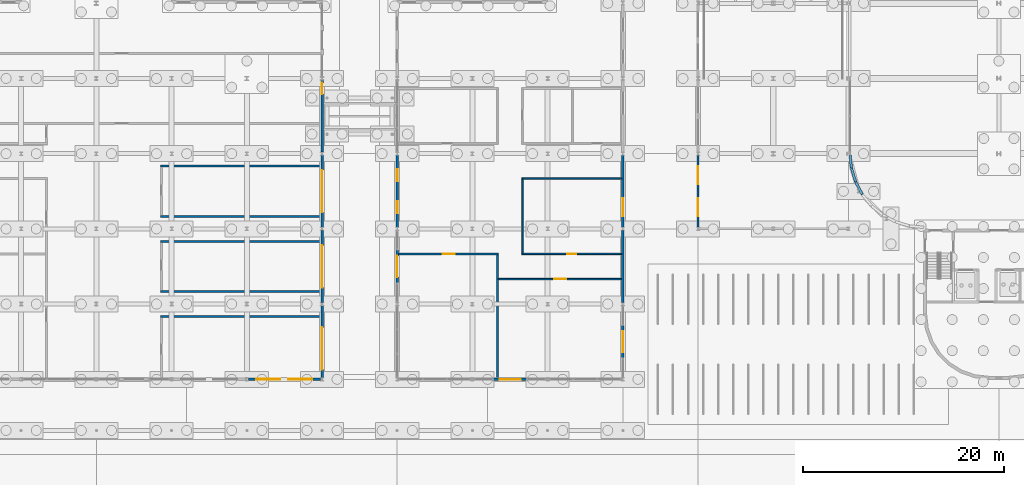
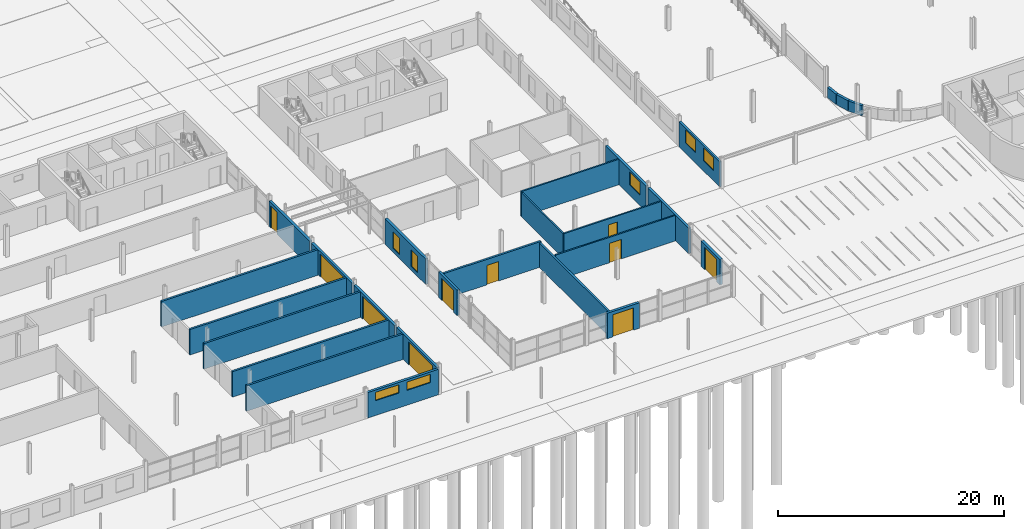
# One storey, part 86 of 130: 26 walls, 10 doors, 7 windows, 17 openings.
"""IFC4 building model written with IfcOpenShell, lengths in metres."""

from ifc_helpers import new_model, si_unit, direction, frame, frame_2d, origin, place, context, subcontext, project, spatial, rectangle, extrude, material, layer, layer_set, type_object, element, fill, save


model = new_model("IFC4")

# Units and contexts
model_context = context("Model", 3, precision=1e-05, world=origin(), true_north=direction((0.0, 1.0)))
body_context = subcontext(model_context, "Body", "Model", "MODEL_VIEW")
ifc_project = project(units=[si_unit("LENGTHUNIT", "METRE"), si_unit("AREAUNIT", "SQUARE_METRE"), si_unit("VOLUMEUNIT", "CUBIC_METRE"), si_unit("PLANEANGLEUNIT", "RADIAN"), si_unit("MASSUNIT", "GRAM", prefix="KILO")], contexts=[model_context])

# Site, building, storey
site_placement = place(None, origin())
site = spatial("IfcSite", under=ifc_project, at=site_placement, CompositionType="ELEMENT")
building_placement = place(site_placement, origin())
building = spatial("IfcBuilding", under=site, at=building_placement, Name="Parallax Yard Mobility Hub", CompositionType="ELEMENT")
storey_placement = place(building_placement, origin())
storey = spatial("IfcBuildingStorey", under=building, at=storey_placement, Name="L00", CompositionType="ELEMENT", Elevation=0.0)

# Walls
ifc_material_1 = material(Name="Concrete fc' 35 MPa", Category="concrete")
ifc_layer_1 = layer(ifc_material_1, 0.25)
ifc_layer_set_1 = layer_set([ifc_layer_1], Name="Deck-edge barrier wall, Concrete fc' 35 MPa precast, 250")
wall_type_1 = type_object("IfcWallType", Name="Deck-edge barrier wall, Concrete fc' 35 MPa precast, 250", PredefinedType="SOLIDWALL", material=ifc_layer_set_1)
wall_1_placement = place(storey_placement, frame((195.163818359375, 29.881103515625, 0.0), z_axis=(0.0, 0.0, 1.0), x_axis=(0.098115845086, -0.99517500016, 0.0)))
element("IfcWall", 1, at=wall_1_placement, inside=storey, type_object=wall_type_1, Name="Deck-edge barrier wall bay 30-1 level L00", PredefinedType="SOLIDWALL", context=body_context, shape_type="SweptSolid", body=[
    extrude(rectangle(XDim=1.306396484375, YDim=0.25, at=frame_2d((0.6533203125, 0.0))), origin(), (0.0, 0.0, 1.0), 1.10009765625),
])
wall_2_placement = place(storey_placement, frame((195.297607421875, 28.552978515625, 0.0), z_axis=(0.0, 0.0, 1.0), x_axis=(0.290156256793, -0.956979282244, 0.0)))
element("IfcWall", 2, at=wall_2_placement, inside=storey, type_object=wall_type_1, Name="Deck-edge barrier wall bay 30-2 level L00", PredefinedType="SOLIDWALL", context=body_context, shape_type="SweptSolid", body=[
    extrude(rectangle(XDim=1.4111328125, YDim=0.25, at=frame_2d((0.70556640625, 0.0))), origin(), (0.0, 0.0, 1.0), 1.10009765625),
])
wall_3_placement = place(storey_placement, frame((195.718017578125, 27.17626953125, 0.0), z_axis=(0.0, 0.0, 1.0), x_axis=(0.47134246414, -0.881950271557, 0.0)))
element("IfcWall", 3, at=wall_3_placement, inside=storey, type_object=wall_type_1, Name="Deck-edge barrier wall bay 30-3 level L00", PredefinedType="SOLIDWALL", context=body_context, shape_type="SweptSolid", body=[
    extrude(rectangle(XDim=1.410888671875, YDim=0.25, at=frame_2d((0.70556640625, 0.0))), origin(), (0.0, 0.0, 1.0), 1.10009765625),
])

# Wall, opening, door
ifc_layer_2 = layer(ifc_material_1, 0.25)
ifc_layer_set_2 = layer_set([ifc_layer_2], Name="Exterior wall, Concrete fc' 35 MPa precast, 250 with insulation lining")
wall_type_2 = type_object("IfcWallType", Name="Exterior wall, Concrete fc' 35 MPa precast, 250 with insulation lining", PredefinedType="SOLIDWALL", material=ifc_layer_set_2)
wall_4_placement = place(storey_placement, frame((159.60009765625, 7.5, 0.0), z_axis=(0.0, 0.0, 1.0), x_axis=(1.0, 0.0, 0.0)))
wall_4 = element("IfcWall", 4, at=wall_4_placement, inside=storey, type_object=wall_type_2, Name="Bicycle and shared-mobility hall south door pier bay 2 level L00", PredefinedType="SOLIDWALL", context=body_context, shape_type="SweptSolid", body=[
    extrude(rectangle(XDim=3.2998046875, YDim=0.25, at=frame_2d((1.64990234375, 0.0))), origin(), (0.0, 0.0, 1.0), 2.7509765625),
])
opening_1_placement = place(wall_4_placement, frame((0.60009765625, 0.0, 0.0)))
opening_1 = element("IfcOpeningElement", 5, at=opening_1_placement, cuts=wall_4, Name="Opening L00-D115", PredefinedType="OPENING", context=body_context, shape_type="SweptSolid", body=[
    extrude(rectangle(XDim=2.10009765625, YDim=2.39990234375, at=frame_2d((1.050048828125, 1.199951171875))), frame((0.0, 0.135009765625, 0.0), z_axis=(0.0, -1.0, 0.0), x_axis=(1.0, 0.0, 0.0)), (0.0, 0.0, 1.0), 0.27001953125),
])
ifc_material_2 = material(Name="Aluminium frame with laminated glass leaves", Category="aluminium")
door_type_1 = type_object("IfcDoorType", Name="Cycle hall door double 2100 x 2400", OperationType="DOUBLE_DOOR_SINGLE_SWING", PredefinedType="DOOR", material=ifc_material_2)
door_1_placement = place(opening_1_placement, origin())
door_1 = element("IfcDoor", 6, at=door_1_placement, inside=storey, type_object=door_type_1, Name="Entrance door L00-D115", OperationType="DOUBLE_DOOR_SINGLE_SWING", OverallHeight=2.39990234375, OverallWidth=2.10009765625, PredefinedType="DOOR", context=body_context, shape_type="SweptSolid", body=[
    extrude(rectangle(XDim=2.10009765625, YDim=2.39990234375, at=frame_2d((1.050048828125, 1.199951171875))), frame((0.0, 0.02490234375, 0.0), z_axis=(0.0, -1.0, 0.0), x_axis=(1.0, 0.0, 0.0)), (0.0, 0.0, 1.0), 0.050048828125),
])
fill(opening_1, door_1)

wall_5_placement = place(storey_placement, frame((172.5, 9.60009765625, 0.0), z_axis=(0.0, 0.0, 1.0), x_axis=(0.0, 1.0, 0.0)))
wall_5 = element("IfcWall", 7, at=wall_5_placement, inside=storey, type_object=wall_type_2, Name="Bicycle and shared-mobility hall east door pier bay 1 level L00", PredefinedType="SOLIDWALL", context=body_context, shape_type="SweptSolid", body=[
    extrude(rectangle(XDim=3.2998046875, YDim=0.25, at=frame_2d((1.64990234375, 0.0))), origin(), (0.0, 0.0, 1.0), 2.7509765625),
])
opening_2_placement = place(wall_5_placement, frame((0.60009765625, 0.0, 0.0)))
opening_2 = element("IfcOpeningElement", 8, at=opening_2_placement, cuts=wall_5, Name="Opening L00-D116", PredefinedType="OPENING", context=body_context, shape_type="SweptSolid", body=[
    extrude(rectangle(XDim=2.10009765625, YDim=2.39990234375, at=frame_2d((1.050048828125, 1.199951171875))), frame((0.0, 0.135009765625, 0.0), z_axis=(0.0, -1.0, 0.0), x_axis=(1.0, 0.0, 0.0)), (0.0, 0.0, 1.0), 0.27001953125),
])
door_2_placement = place(opening_2_placement, origin())
door_2 = element("IfcDoor", 9, at=door_2_placement, inside=storey, type_object=door_type_1, Name="Entrance door L00-D116", OperationType="DOUBLE_DOOR_SINGLE_SWING", OverallHeight=2.39990234375, OverallWidth=2.10009765625, PredefinedType="DOOR", context=body_context, shape_type="SweptSolid", body=[
    extrude(rectangle(XDim=2.10009765625, YDim=2.39990234375, at=frame_2d((1.050048828125, 1.199951171875))), frame((0.0, 0.02490234375, 0.0), z_axis=(0.0, -1.0, 0.0), x_axis=(1.0, 0.0, 0.0)), (0.0, 0.0, 1.0), 0.050048828125),
])
fill(opening_2, door_2)

# Wall
wall_6_placement = place(storey_placement, frame((172.5, 15.153564453125, 0.0), z_axis=(0.0, 0.0, 1.0), x_axis=(0.0, 1.0, 0.0)))
element("IfcWall", 10, at=wall_6_placement, inside=storey, type_object=wall_type_2, Name="Bicycle and shared-mobility hall east wall bay 2 level L00", PredefinedType="SOLIDWALL", context=body_context, shape_type="SweptSolid", body=[
    extrude(rectangle(XDim=7.19287109375, YDim=0.25, at=frame_2d((3.596435546875, 0.0))), origin(), (0.0, 0.0, 1.0), 2.7509765625),
])

# Wall, opening, window
wall_7_placement = place(storey_placement, frame((172.5, 22.653564453125, 0.0), z_axis=(0.0, 0.0, 1.0), x_axis=(0.0, 1.0, 0.0)))
wall_7 = element("IfcWall", 11, at=wall_7_placement, inside=storey, type_object=wall_type_2, Name="Bicycle and shared-mobility hall east wall bay 3 level L00", PredefinedType="SOLIDWALL", context=body_context, shape_type="SweptSolid", body=[
    extrude(rectangle(XDim=7.19287109375, YDim=0.25, at=frame_2d((3.596435546875, 0.0))), origin(), (0.0, 0.0, 1.0), 2.7509765625),
])
opening_3_placement = place(wall_7_placement, frame((1.09765625, 0.0, 1.10009765625)))
opening_3 = element("IfcOpeningElement", 12, at=opening_3_placement, cuts=wall_7, Name="Opening LV2", PredefinedType="OPENING", context=body_context, shape_type="SweptSolid", body=[
    extrude(rectangle(XDim=1.800048828125, YDim=1.39990234375, at=frame_2d((0.89990234375, 0.699951171875))), frame((0.0, 0.135009765625, 0.0), z_axis=(0.0, -1.0, 0.0), x_axis=(1.0, 0.0, 0.0)), (0.0, 0.0, 1.0), 0.27001953125),
])
ifc_material_3 = material(Name="Extruded aluminium storm louvre blades in a powder-coated frame", Category="aluminium")
window_type_1 = type_object("IfcWindowType", Name="Screen louvre 1800 x 1400", PartitioningType="SINGLE_PANEL", PredefinedType="WINDOW", material=ifc_material_3)
window_1_placement = place(opening_3_placement, origin())
window_1 = element("IfcWindow", 13, at=window_1_placement, inside=storey, type_object=window_type_1, Name="LV2 louvre level L00", OverallHeight=1.39990234375, OverallWidth=1.800048828125, PartitioningType="SINGLE_PANEL", PredefinedType="WINDOW", context=body_context, shape_type="SweptSolid", body=[
    extrude(rectangle(XDim=1.800048828125, YDim=1.39990234375, at=frame_2d((0.89990234375, 0.699951171875))), frame((0.0, 0.030029296875, 0.0), z_axis=(0.0, -1.0, 0.0), x_axis=(1.0, 0.0, 0.0)), (0.0, 0.0, 1.0), 0.06005859375),
])
fill(opening_3, window_1)

# Wall, opening, door
wall_8_placement = place(storey_placement, frame((150.0, 17.10009765625, 0.0), z_axis=(0.0, 0.0, 1.0), x_axis=(0.0, 1.0, 0.0)))
wall_8 = element("IfcWall", 14, at=wall_8_placement, inside=storey, type_object=wall_type_2, Name="Bicycle and shared-mobility hall west door pier bay 2 level L00", PredefinedType="SOLIDWALL", context=body_context, shape_type="SweptSolid", body=[
    extrude(rectangle(XDim=3.2998046875, YDim=0.25, at=frame_2d((1.64990234375, 0.0))), origin(), (0.0, 0.0, 1.0), 2.7509765625),
])
opening_4_placement = place(wall_8_placement, frame((0.60009765625, 0.0, 0.0)))
opening_4 = element("IfcOpeningElement", 15, at=opening_4_placement, cuts=wall_8, Name="Opening L00-D118", PredefinedType="OPENING", context=body_context, shape_type="SweptSolid", body=[
    extrude(rectangle(XDim=2.10009765625, YDim=2.39990234375, at=frame_2d((1.050048828125, 1.199951171875))), frame((0.0, 0.135009765625, 0.0), z_axis=(0.0, -1.0, 0.0), x_axis=(1.0, 0.0, 0.0)), (0.0, 0.0, 1.0), 0.27001953125),
])
door_3_placement = place(opening_4_placement, origin())
door_3 = element("IfcDoor", 16, at=door_3_placement, inside=storey, type_object=door_type_1, Name="Entrance door L00-D118", OperationType="DOUBLE_DOOR_SINGLE_SWING", OverallHeight=2.39990234375, OverallWidth=2.10009765625, PredefinedType="DOOR", context=body_context, shape_type="SweptSolid", body=[
    extrude(rectangle(XDim=2.10009765625, YDim=2.39990234375, at=frame_2d((1.050048828125, 1.199951171875))), frame((0.0, 0.02490234375, 0.0), z_axis=(0.0, -1.0, 0.0), x_axis=(1.0, 0.0, 0.0)), (0.0, 0.0, 1.0), 0.050048828125),
])
fill(opening_4, door_3)

# Wall, openings, windows
wall_9_placement = place(storey_placement, frame((150.0, 22.653564453125, 0.0), z_axis=(0.0, 0.0, 1.0), x_axis=(0.0, 1.0, 0.0)))
wall_9 = element("IfcWall", 17, at=wall_9_placement, inside=storey, type_object=wall_type_2, Name="Bicycle and shared-mobility hall west wall bay 3 level L00", PredefinedType="SOLIDWALL", context=body_context, shape_type="SweptSolid", body=[
    extrude(rectangle(XDim=7.19287109375, YDim=0.25, at=frame_2d((3.596435546875, 0.0))), origin(), (0.0, 0.0, 1.0), 2.7509765625),
])
opening_5_placement = place(wall_9_placement, frame((1.397705078125, 0.0, 0.39990234375)))
opening_5 = element("IfcOpeningElement", 18, at=opening_5_placement, cuts=wall_9, Name="Opening LV7", PredefinedType="OPENING", context=body_context, shape_type="SweptSolid", body=[
    extrude(rectangle(XDim=1.199951171875, YDim=1.800048828125, at=frame_2d((0.60009765625, 0.89990234375))), frame((0.0, 0.135009765625, 0.0), z_axis=(0.0, -1.0, 0.0), x_axis=(1.0, 0.0, 0.0)), (0.0, 0.0, 1.0), 0.27001953125),
])
opening_6_placement = place(wall_9_placement, frame((4.59521484375, 0.0, 0.39990234375)))
opening_6 = element("IfcOpeningElement", 19, at=opening_6_placement, cuts=wall_9, Name="Opening LV7", PredefinedType="OPENING", context=body_context, shape_type="SweptSolid", body=[
    extrude(rectangle(XDim=1.199951171875, YDim=1.800048828125, at=frame_2d((0.60009765625, 0.89990234375))), frame((0.0, 0.135009765625, 0.0), z_axis=(0.0, -1.0, 0.0), x_axis=(1.0, 0.0, 0.0)), (0.0, 0.0, 1.0), 0.27001953125),
])
window_type_2 = type_object("IfcWindowType", Name="Store louvre 1200 x 1800", PartitioningType="SINGLE_PANEL", PredefinedType="WINDOW", material=ifc_material_3)
window_2_placement = place(opening_5_placement, origin())
window_2 = element("IfcWindow", 20, at=window_2_placement, inside=storey, type_object=window_type_2, Name="LV7 louvre level L00", OverallHeight=1.800048828125, OverallWidth=1.199951171875, PartitioningType="SINGLE_PANEL", PredefinedType="WINDOW", context=body_context, shape_type="SweptSolid", body=[
    extrude(rectangle(XDim=1.199951171875, YDim=1.800048828125, at=frame_2d((0.60009765625, 0.89990234375))), frame((0.0, 0.030029296875, 0.0), z_axis=(0.0, -1.0, 0.0), x_axis=(1.0, 0.0, 0.0)), (0.0, 0.0, 1.0), 0.06005859375),
])
fill(opening_5, window_2)
window_3_placement = place(opening_6_placement, origin())
window_3 = element("IfcWindow", 21, at=window_3_placement, inside=storey, type_object=window_type_2, Name="LV7 louvre level L00", OverallHeight=1.800048828125, OverallWidth=1.199951171875, PartitioningType="SINGLE_PANEL", PredefinedType="WINDOW", context=body_context, shape_type="SweptSolid", body=[
    extrude(rectangle(XDim=1.199951171875, YDim=1.800048828125, at=frame_2d((0.60009765625, 0.89990234375))), frame((0.0, 0.030029296875, 0.0), z_axis=(0.0, -1.0, 0.0), x_axis=(1.0, 0.0, 0.0)), (0.0, 0.0, 1.0), 0.06005859375),
])
fill(opening_6, window_3)

wall_10_placement = place(storey_placement, frame((135.153564453125, 7.5, 0.0), z_axis=(0.0, 0.0, 1.0), x_axis=(1.0, 0.0, 0.0)))
wall_10 = element("IfcWall", 22, at=wall_10_placement, inside=storey, type_object=wall_type_2, Name="Mobility service centre and workshops south wall bay 6 level L00", PredefinedType="SOLIDWALL", context=body_context, shape_type="SweptSolid", body=[
    extrude(rectangle(XDim=7.19287109375, YDim=0.25, at=frame_2d((3.596435546875, 0.0))), origin(), (0.0, 0.0, 1.0), 2.7509765625),
])
opening_7_placement = place(wall_10_placement, frame((0.797607421875, 0.0, 1.60009765625)))
opening_7 = element("IfcOpeningElement", 23, at=opening_7_placement, cuts=wall_10, Name="Opening W4", PredefinedType="OPENING", context=body_context, shape_type="SweptSolid", body=[
    extrude(rectangle(XDim=2.39990234375, YDim=0.89990234375, at=frame_2d((1.199951171875, 0.449951171875))), frame((0.0, 0.135009765625, 0.0), z_axis=(0.0, -1.0, 0.0), x_axis=(1.0, 0.0, 0.0)), (0.0, 0.0, 1.0), 0.27001953125),
])
opening_8_placement = place(wall_10_placement, frame((3.995361328125, 0.0, 1.60009765625)))
opening_8 = element("IfcOpeningElement", 24, at=opening_8_placement, cuts=wall_10, Name="Opening W4", PredefinedType="OPENING", context=body_context, shape_type="SweptSolid", body=[
    extrude(rectangle(XDim=2.39990234375, YDim=0.89990234375, at=frame_2d((1.199951171875, 0.449951171875))), frame((0.0, 0.135009765625, 0.0), z_axis=(0.0, -1.0, 0.0), x_axis=(1.0, 0.0, 0.0)), (0.0, 0.0, 1.0), 0.27001953125),
])
ifc_material_4 = material(Name="Double glazed low-E unit in thermally broken aluminium frame", Category="aluminium")
window_type_3 = type_object("IfcWindowType", Name="Workshop high-level window 2400 x 900", PartitioningType="DOUBLE_PANEL_VERTICAL", PredefinedType="WINDOW", material=ifc_material_4)
window_4_placement = place(opening_7_placement, origin())
window_4 = element("IfcWindow", 25, at=window_4_placement, inside=storey, type_object=window_type_3, Name="Window W4 level L00", OverallHeight=0.89990234375, OverallWidth=2.39990234375, PartitioningType="DOUBLE_PANEL_VERTICAL", PredefinedType="WINDOW", context=body_context, shape_type="SweptSolid", body=[
    extrude(rectangle(XDim=2.39990234375, YDim=0.89990234375, at=frame_2d((1.199951171875, 0.449951171875))), frame((0.0, 0.030029296875, 0.0), z_axis=(0.0, -1.0, 0.0), x_axis=(1.0, 0.0, 0.0)), (0.0, 0.0, 1.0), 0.06005859375),
])
fill(opening_7, window_4)
window_5_placement = place(opening_8_placement, origin())
window_5 = element("IfcWindow", 26, at=window_5_placement, inside=storey, type_object=window_type_3, Name="Window W4 level L00", OverallHeight=0.89990234375, OverallWidth=2.39990234375, PartitioningType="DOUBLE_PANEL_VERTICAL", PredefinedType="WINDOW", context=body_context, shape_type="SweptSolid", body=[
    extrude(rectangle(XDim=2.39990234375, YDim=0.89990234375, at=frame_2d((1.199951171875, 0.449951171875))), frame((0.0, 0.030029296875, 0.0), z_axis=(0.0, -1.0, 0.0), x_axis=(1.0, 0.0, 0.0)), (0.0, 0.0, 1.0), 0.06005859375),
])
fill(opening_8, window_5)

# Wall, opening, door
wall_11_placement = place(storey_placement, frame((142.5, 7.653564453125, 0.0), z_axis=(0.0, 0.0, 1.0), x_axis=(0.0, 1.0, 0.0)))
wall_11 = element("IfcWall", 27, at=wall_11_placement, inside=storey, type_object=wall_type_2, Name="Mobility service centre and workshops east wall bay 1 level L00", PredefinedType="SOLIDWALL", context=body_context, shape_type="SweptSolid", body=[
    extrude(rectangle(XDim=7.19287109375, YDim=0.25, at=frame_2d((3.596435546875, 0.0))), origin(), (0.0, 0.0, 1.0), 2.7509765625),
])
opening_9_placement = place(wall_11_placement, frame((0.821533203125, 0.0, 0.0)))
opening_9 = element("IfcOpeningElement", 28, at=opening_9_placement, cuts=wall_11, Name="Opening L00-D123", PredefinedType="OPENING", context=body_context, shape_type="SweptSolid", body=[
    extrude(rectangle(XDim=4.199951171875, YDim=2.5, at=frame_2d((2.10009765625, 1.25))), frame((0.0, 0.135009765625, 0.0), z_axis=(0.0, -1.0, 0.0), x_axis=(1.0, 0.0, 0.0)), (0.0, 0.0, 1.0), 0.27001953125),
])
ifc_material_5 = material(Name="Insulated steel roller shutter", Category="steel")
door_type_2 = type_object("IfcDoorType", Name="Roller door 4200 x 2500", OperationType="ROLLINGUP", PredefinedType="DOOR", material=ifc_material_5)
door_4_placement = place(opening_9_placement, origin())
door_4 = element("IfcDoor", 29, at=door_4_placement, inside=storey, type_object=door_type_2, Name="Roller door L00-D123", OperationType="ROLLINGUP", OverallHeight=2.5, OverallWidth=4.199951171875, PredefinedType="DOOR", context=body_context, shape_type="SweptSolid", body=[
    extrude(rectangle(XDim=4.199951171875, YDim=2.5, at=frame_2d((2.10009765625, 1.25))), frame((0.0, 0.02490234375, 0.0), z_axis=(0.0, -1.0, 0.0), x_axis=(1.0, 0.0, 0.0)), (0.0, 0.0, 1.0), 0.050048828125),
])
fill(opening_9, door_4)

wall_12_placement = place(storey_placement, frame((142.5, 15.153564453125, 0.0), z_axis=(0.0, 0.0, 1.0), x_axis=(0.0, 1.0, 0.0)))
wall_12 = element("IfcWall", 30, at=wall_12_placement, inside=storey, type_object=wall_type_2, Name="Mobility service centre and workshops east wall bay 2 level L00", PredefinedType="SOLIDWALL", context=body_context, shape_type="SweptSolid", body=[
    extrude(rectangle(XDim=7.19287109375, YDim=0.25, at=frame_2d((3.596435546875, 0.0))), origin(), (0.0, 0.0, 1.0), 2.7509765625),
])
opening_10_placement = place(wall_12_placement, frame((1.49658203125, 0.0, 0.0)))
opening_10 = element("IfcOpeningElement", 31, at=opening_10_placement, cuts=wall_12, Name="Opening L00-D124", PredefinedType="OPENING", context=body_context, shape_type="SweptSolid", body=[
    extrude(rectangle(XDim=4.199951171875, YDim=2.5, at=frame_2d((2.10009765625, 1.25))), frame((0.0, 0.135009765625, 0.0), z_axis=(0.0, -1.0, 0.0), x_axis=(1.0, 0.0, 0.0)), (0.0, 0.0, 1.0), 0.27001953125),
])
door_5_placement = place(opening_10_placement, origin())
door_5 = element("IfcDoor", 32, at=door_5_placement, inside=storey, type_object=door_type_2, Name="Roller door L00-D124", OperationType="ROLLINGUP", OverallHeight=2.5, OverallWidth=4.199951171875, PredefinedType="DOOR", context=body_context, shape_type="SweptSolid", body=[
    extrude(rectangle(XDim=4.199951171875, YDim=2.5, at=frame_2d((2.10009765625, 1.25))), frame((0.0, 0.02490234375, 0.0), z_axis=(0.0, -1.0, 0.0), x_axis=(1.0, 0.0, 0.0)), (0.0, 0.0, 1.0), 0.050048828125),
])
fill(opening_10, door_5)

wall_13_placement = place(storey_placement, frame((142.5, 22.653564453125, 0.0), z_axis=(0.0, 0.0, 1.0), x_axis=(0.0, 1.0, 0.0)))
wall_13 = element("IfcWall", 33, at=wall_13_placement, inside=storey, type_object=wall_type_2, Name="Mobility service centre and workshops east wall bay 3 level L00", PredefinedType="SOLIDWALL", context=body_context, shape_type="SweptSolid", body=[
    extrude(rectangle(XDim=7.19287109375, YDim=0.25, at=frame_2d((3.596435546875, 0.0))), origin(), (0.0, 0.0, 1.0), 2.7509765625),
])
opening_11_placement = place(wall_13_placement, frame((1.49658203125, 0.0, 0.0)))
opening_11 = element("IfcOpeningElement", 34, at=opening_11_placement, cuts=wall_13, Name="Opening L00-D125", PredefinedType="OPENING", context=body_context, shape_type="SweptSolid", body=[
    extrude(rectangle(XDim=4.199951171875, YDim=2.5, at=frame_2d((2.10009765625, 1.25))), frame((0.0, 0.135009765625, 0.0), z_axis=(0.0, -1.0, 0.0), x_axis=(1.0, 0.0, 0.0)), (0.0, 0.0, 1.0), 0.27001953125),
])
door_6_placement = place(opening_11_placement, origin())
door_6 = element("IfcDoor", 35, at=door_6_placement, inside=storey, type_object=door_type_2, Name="Roller door L00-D125", OperationType="ROLLINGUP", OverallHeight=2.5, OverallWidth=4.199951171875, PredefinedType="DOOR", context=body_context, shape_type="SweptSolid", body=[
    extrude(rectangle(XDim=4.199951171875, YDim=2.5, at=frame_2d((2.10009765625, 1.25))), frame((0.0, 0.02490234375, 0.0), z_axis=(0.0, -1.0, 0.0), x_axis=(1.0, 0.0, 0.0)), (0.0, 0.0, 1.0), 0.050048828125),
])
fill(opening_11, door_6)

wall_14_placement = place(storey_placement, frame((142.5, 37.33837890625, 0.0), z_axis=(0.0, 0.0, 1.0), x_axis=(0.0, -1.0, 0.0)))
wall_14 = element("IfcWall", 36, at=wall_14_placement, inside=storey, type_object=wall_type_2, Name="Mobility service centre and workshops east wall bay 4 level L00", PredefinedType="SOLIDWALL", context=body_context, shape_type="SweptSolid", body=[
    extrude(rectangle(XDim=7.184814453125, YDim=0.25, at=frame_2d((3.59228515625, 0.0))), origin(), (0.0, 0.0, 1.0), 2.7509765625),
])
opening_12_placement = place(wall_14_placement, frame((0.28857421875, 0.0, 0.0)))
opening_12 = element("IfcOpeningElement", 37, at=opening_12_placement, cuts=wall_14, Name="Opening L00-D126", PredefinedType="OPENING", context=body_context, shape_type="SweptSolid", body=[
    extrude(rectangle(XDim=1.10009765625, YDim=2.39990234375, at=frame_2d((0.550048828125, 1.199951171875))), frame((0.0, 0.135009765625, 0.0), z_axis=(0.0, -1.0, 0.0), x_axis=(1.0, 0.0, 0.0)), (0.0, 0.0, 1.0), 0.27001953125),
])
ifc_material_6 = material(Name="Insulated steel door leaf in steel frame", Category="steel")
door_type_3 = type_object("IfcDoorType", Name="Staff escape door 1100 x 2400", OperationType="NOTDEFINED", PredefinedType="DOOR", material=ifc_material_6)
door_7_placement = place(opening_12_placement, origin())
door_7 = element("IfcDoor", 38, at=door_7_placement, inside=storey, type_object=door_type_3, Name="Staff escape door L00-D126", OperationType="SINGLE_SWING_RIGHT", OverallHeight=2.39990234375, OverallWidth=1.10009765625, PredefinedType="DOOR", context=body_context, shape_type="SweptSolid", body=[
    extrude(rectangle(XDim=1.10009765625, YDim=2.39990234375, at=frame_2d((0.550048828125, 1.199951171875))), frame((0.0, 0.02490234375, 0.0), z_axis=(0.0, -1.0, 0.0), x_axis=(1.0, 0.0, 0.0)), (0.0, 0.0, 1.0), 0.050048828125),
])
fill(opening_12, door_7)

# Walls
ifc_material_7 = material(Name="Fire-rated plasterboard partition, two layers each side")
ifc_layer_3 = layer(ifc_material_7, 0.199951171875)
ifc_layer_set_3 = layer_set([ifc_layer_3], Name="Fire-rated partition 200 mm")
wall_type_3 = type_object("IfcWallType", Name="Fire-rated partition 200 mm", PredefinedType="PARTITIONING", material=ifc_layer_set_3)
for number, where, z_axis, x_axis, name in (
    (39, (126.39990234375, 13.75, 0.0), (0.0, 0.0, 1.0), (1.0, 0.0, 0.0), "Partition 2 level L00"),
    (40, (126.39990234375, 16.25, 0.0), (0.0, 0.0, 1.0), (1.0, 0.0, 0.0), "Partition 3 level L00"),
):
    element("IfcWall", number, at=place(storey_placement, frame(where, z_axis=z_axis, x_axis=x_axis)), inside=storey, type_object=wall_type_3, Name=name, PredefinedType="PARTITIONING", context=body_context, shape_type="SweptSolid", body=[
        extrude(rectangle(XDim=15.97509765625, YDim=0.199951171875, at=frame_2d((7.987548828125, 0.0))), origin(), (0.0, 0.0, 1.0), 2.7509765625),
    ])

# Wall, opening, door
wall_15_placement = place(storey_placement, frame((150.125, 20.0, 0.0), z_axis=(0.0, 0.0, 1.0), x_axis=(1.0, 0.0, 0.0)))
wall_15 = element("IfcWall", 41, at=wall_15_placement, inside=storey, type_object=wall_type_3, Name="Partition 7 level L00", PredefinedType="PARTITIONING", context=body_context, shape_type="SweptSolid", body=[
    extrude(rectangle(XDim=9.97509765625, YDim=0.199951171875, at=frame_2d((4.987548828125, 0.0))), origin(), (0.0, 0.0, 1.0), 2.7509765625),
])
opening_13_placement = place(wall_15_placement, frame((4.425048828125, 0.0, 0.0)))
opening_13 = element("IfcOpeningElement", 42, at=opening_13_placement, cuts=wall_15, Name="Opening L00-D206", PredefinedType="OPENING", context=body_context, shape_type="SweptSolid", body=[
    extrude(rectangle(XDim=1.199951171875, YDim=2.10009765625, at=frame_2d((0.60009765625, 1.050048828125))), frame((0.0, 0.10986328125, 0.0), z_axis=(0.0, -1.0, 0.0), x_axis=(1.0, 0.0, 0.0)), (0.0, 0.0, 1.0), 0.219970703125),
])
ifc_material_8 = material(Name="Hollow metal fire door leaf with intumescent seals")
door_type_4 = type_object("IfcDoorType", Name="Fire door 1200 mm FD60", OperationType="DOUBLE_DOOR_SINGLE_SWING", PredefinedType="DOOR", material=ifc_material_8)
door_8_placement = place(opening_13_placement, origin())
door_8 = element("IfcDoor", 43, at=door_8_placement, inside=storey, type_object=door_type_4, Name="Door L00-D206 Bicycle Repair Shop", OperationType="DOUBLE_DOOR_SINGLE_SWING", OverallHeight=2.10009765625, OverallWidth=1.199951171875, PredefinedType="DOOR", context=body_context, shape_type="SweptSolid", body=[
    extrude(rectangle(XDim=1.199951171875, YDim=2.10009765625, at=frame_2d((0.60009765625, 1.050048828125))), frame((0.0, 0.02490234375, 0.0), z_axis=(0.0, -1.0, 0.0), x_axis=(1.0, 0.0, 0.0)), (0.0, 0.0, 1.0), 0.050048828125),
])
fill(opening_13, door_8)

# Walls
for number, where, z_axis, x_axis, name in (
    (44, (126.39990234375, 21.25, 0.0), (0.0, 0.0, 1.0), (1.0, 0.0, 0.0), "Partition 9 level L00"),
    (45, (126.39990234375, 23.75, 0.0), (0.0, 0.0, 1.0), (1.0, 0.0, 0.0), "Partition 12 level L00"),
    (46, (126.39990234375, 28.75, 0.0), (0.0, 0.0, 1.0), (1.0, 0.0, 0.0), "Partition 15 level L00"),
):
    element("IfcWall", number, at=place(storey_placement, frame(where, z_axis=z_axis, x_axis=x_axis)), inside=storey, type_object=wall_type_3, Name=name, PredefinedType="PARTITIONING", context=body_context, shape_type="SweptSolid", body=[
        extrude(rectangle(XDim=15.97509765625, YDim=0.199951171875, at=frame_2d((7.987548828125, 0.0))), origin(), (0.0, 0.0, 1.0), 2.7509765625),
    ])
wall_16_placement = place(storey_placement, frame((160.0, 7.625, 0.0), z_axis=(0.0, 0.0, 1.0), x_axis=(0.0, 1.0, 0.0)))
element("IfcWall", 47, at=wall_16_placement, inside=storey, type_object=wall_type_3, Name="Partition 107 level L00", PredefinedType="PARTITIONING", context=body_context, shape_type="SweptSolid", body=[
    extrude(rectangle(XDim=12.27490234375, YDim=0.199951171875, at=frame_2d((6.137451171875, 0.0))), origin(), (0.0, 0.0, 1.0), 2.626953125),
])

# Wall, openings, windows
ifc_layer_4 = layer(ifc_material_1, 0.199951171875)
ifc_layer_set_4 = layer_set([ifc_layer_4], Name="Louvre screen wall, Concrete fc' 35 MPa precast, 200")
wall_type_4 = type_object("IfcWallType", Name="Louvre screen wall, Concrete fc' 35 MPa precast, 200", PredefinedType="SOLIDWALL", material=ifc_layer_set_4)
wall_17_placement = place(storey_placement, frame((180.0, 22.653564453125, 0.0), z_axis=(0.0, 0.0, 1.0), x_axis=(0.0, 1.0, 0.0)))
wall_17 = element("IfcWall", 48, at=wall_17_placement, inside=storey, type_object=wall_type_4, Name="Ramp house west wall bay 1 level L00", PredefinedType="SOLIDWALL", context=body_context, shape_type="SweptSolid", body=[
    extrude(rectangle(XDim=7.19287109375, YDim=0.199951171875, at=frame_2d((3.596435546875, 0.0))), origin(), (0.0, 0.0, 1.0), 2.7099609375),
])
opening_14_placement = place(wall_17_placement, frame((1.09765625, 0.0, 1.10009765625)))
opening_14 = element("IfcOpeningElement", 49, at=opening_14_placement, cuts=wall_17, Name="Opening LV2", PredefinedType="OPENING", context=body_context, shape_type="SweptSolid", body=[
    extrude(rectangle(XDim=1.800048828125, YDim=1.39990234375, at=frame_2d((0.89990234375, 0.699951171875))), frame((0.0, 0.10986328125, 0.0), z_axis=(0.0, -1.0, 0.0), x_axis=(1.0, 0.0, 0.0)), (0.0, 0.0, 1.0), 0.219970703125),
])
opening_15_placement = place(wall_17_placement, frame((4.29541015625, 0.0, 1.10009765625)))
opening_15 = element("IfcOpeningElement", 50, at=opening_15_placement, cuts=wall_17, Name="Opening LV2", PredefinedType="OPENING", context=body_context, shape_type="SweptSolid", body=[
    extrude(rectangle(XDim=1.800048828125, YDim=1.39990234375, at=frame_2d((0.89990234375, 0.699951171875))), frame((0.0, 0.10986328125, 0.0), z_axis=(0.0, -1.0, 0.0), x_axis=(1.0, 0.0, 0.0)), (0.0, 0.0, 1.0), 0.219970703125),
])
window_6_placement = place(opening_14_placement, origin())
window_6 = element("IfcWindow", 51, at=window_6_placement, inside=storey, type_object=window_type_1, Name="LV2 louvre level L00", OverallHeight=1.39990234375, OverallWidth=1.800048828125, PartitioningType="SINGLE_PANEL", PredefinedType="WINDOW", context=body_context, shape_type="SweptSolid", body=[
    extrude(rectangle(XDim=1.800048828125, YDim=1.39990234375, at=frame_2d((0.89990234375, 0.699951171875))), frame((0.0, 0.030029296875, 0.0), z_axis=(0.0, -1.0, 0.0), x_axis=(1.0, 0.0, 0.0)), (0.0, 0.0, 1.0), 0.06005859375),
])
fill(opening_14, window_6)
window_7_placement = place(opening_15_placement, origin())
window_7 = element("IfcWindow", 52, at=window_7_placement, inside=storey, type_object=window_type_1, Name="LV2 louvre level L00", OverallHeight=1.39990234375, OverallWidth=1.800048828125, PartitioningType="SINGLE_PANEL", PredefinedType="WINDOW", context=body_context, shape_type="SweptSolid", body=[
    extrude(rectangle(XDim=1.800048828125, YDim=1.39990234375, at=frame_2d((0.89990234375, 0.699951171875))), frame((0.0, 0.030029296875, 0.0), z_axis=(0.0, -1.0, 0.0), x_axis=(1.0, 0.0, 0.0)), (0.0, 0.0, 1.0), 0.06005859375),
])
fill(opening_15, window_7)

# Wall, opening, door
ifc_material_9 = material(Name="Plasterboard partition on light framing")
ifc_layer_5 = layer(ifc_material_9, 0.14990234375)
ifc_layer_set_5 = layer_set([ifc_layer_5], Name="Partition 150 mm")
wall_type_5 = type_object("IfcWallType", Name="Partition 150 mm", PredefinedType="PARTITIONING", material=ifc_layer_set_5)
wall_18_placement = place(storey_placement, frame((160.10009765625, 17.5, 0.0), z_axis=(0.0, 0.0, 1.0), x_axis=(1.0, 0.0, 0.0)))
wall_18 = element("IfcWall", 53, at=wall_18_placement, inside=storey, type_object=wall_type_5, Name="Partition 4 level L00", PredefinedType="PARTITIONING", context=body_context, shape_type="SweptSolid", body=[
    extrude(rectangle(XDim=12.27490234375, YDim=0.14990234375, at=frame_2d((6.137451171875, 0.0))), origin(), (0.0, 0.0, 1.0), 2.7509765625),
])
opening_16_placement = place(wall_18_placement, frame((5.550048828125, 0.0, 0.0)))
opening_16 = element("IfcOpeningElement", 54, at=opening_16_placement, cuts=wall_18, Name="Opening L00-D204", PredefinedType="OPENING", context=body_context, shape_type="SweptSolid", body=[
    extrude(rectangle(XDim=1.199951171875, YDim=2.10009765625, at=frame_2d((0.60009765625, 1.050048828125))), frame((0.0, 0.0849609375, 0.0), z_axis=(0.0, -1.0, 0.0), x_axis=(1.0, 0.0, 0.0)), (0.0, 0.0, 1.0), 0.169921875),
])
ifc_material_10 = material(Name="Solid timber door leaf", Category="wood")
door_type_5 = type_object("IfcDoorType", Name="Interior door 1200 mm", OperationType="DOUBLE_DOOR_SINGLE_SWING", PredefinedType="DOOR", material=ifc_material_10)
door_9_placement = place(opening_16_placement, origin())
door_9 = element("IfcDoor", 55, at=door_9_placement, inside=storey, type_object=door_type_5, Name="Door L00-D204 Shared-mobility Station", OperationType="DOUBLE_DOOR_SINGLE_SWING", OverallHeight=2.10009765625, OverallWidth=1.199951171875, PredefinedType="DOOR", context=body_context, shape_type="SweptSolid", body=[
    extrude(rectangle(XDim=1.199951171875, YDim=2.10009765625, at=frame_2d((0.60009765625, 1.050048828125))), frame((0.0, 0.02490234375, 0.0), z_axis=(0.0, -1.0, 0.0), x_axis=(1.0, 0.0, 0.0)), (0.0, 0.0, 1.0), 0.050048828125),
])
fill(opening_16, door_9)

wall_19_placement = place(storey_placement, frame((162.425048828125, 20.0, 0.0), z_axis=(0.0, 0.0, 1.0), x_axis=(1.0, 0.0, 0.0)))
wall_19 = element("IfcWall", 56, at=wall_19_placement, inside=storey, type_object=wall_type_5, Name="Partition 8 level L00", PredefinedType="PARTITIONING", context=body_context, shape_type="SweptSolid", body=[
    extrude(rectangle(XDim=9.949951171875, YDim=0.14990234375, at=frame_2d((4.97509765625, 0.0))), origin(), (0.0, 0.0, 1.0), 2.7509765625),
])
opening_17_placement = place(wall_19_placement, frame((4.550048828125, 0.0, 0.0)))
opening_17 = element("IfcOpeningElement", 57, at=opening_17_placement, cuts=wall_19, Name="Opening L00-D207", PredefinedType="OPENING", context=body_context, shape_type="SweptSolid", body=[
    extrude(rectangle(XDim=0.89990234375, YDim=2.10009765625, at=frame_2d((0.449951171875, 1.050048828125))), frame((0.0, 0.0849609375, 0.0), z_axis=(0.0, -1.0, 0.0), x_axis=(1.0, 0.0, 0.0)), (0.0, 0.0, 1.0), 0.169921875),
])
door_type_6 = type_object("IfcDoorType", Name="Interior door 900 mm", OperationType="NOTDEFINED", PredefinedType="DOOR", material=ifc_material_10)
door_10_placement = place(opening_17_placement, origin())
door_10 = element("IfcDoor", 58, at=door_10_placement, inside=storey, type_object=door_type_6, Name="Door L00-D207 Locker Hall", OperationType="SINGLE_SWING_LEFT", OverallHeight=2.10009765625, OverallWidth=0.89990234375, PredefinedType="DOOR", context=body_context, shape_type="SweptSolid", body=[
    extrude(rectangle(XDim=0.89990234375, YDim=2.10009765625, at=frame_2d((0.449951171875, 1.050048828125))), frame((0.0, 0.02490234375, 0.0), z_axis=(0.0, -1.0, 0.0), x_axis=(1.0, 0.0, 0.0)), (0.0, 0.0, 1.0), 0.050048828125),
])
fill(opening_17, door_10)

# Walls
wall_20_placement = place(storey_placement, frame((162.425048828125, 27.5, 0.0), z_axis=(0.0, 0.0, 1.0), x_axis=(1.0, 0.0, 0.0)))
element("IfcWall", 59, at=wall_20_placement, inside=storey, type_object=wall_type_5, Name="Partition 14 level L00", PredefinedType="PARTITIONING", context=body_context, shape_type="SweptSolid", body=[
    extrude(rectangle(XDim=9.949951171875, YDim=0.14990234375, at=frame_2d((4.97509765625, 0.0))), origin(), (0.0, 0.0, 1.0), 2.7509765625),
])
wall_21_placement = place(storey_placement, frame((162.5, 20.074951171875, 0.0), z_axis=(0.0, 0.0, 1.0), x_axis=(0.0, 1.0, 0.0)))
element("IfcWall", 60, at=wall_21_placement, inside=storey, type_object=wall_type_5, Name="Partition 109 level L00", PredefinedType="PARTITIONING", context=body_context, shape_type="SweptSolid", body=[
    extrude(rectangle(XDim=7.35009765625, YDim=0.14990234375, at=frame_2d((3.675048828125, 0.0))), origin(), (0.0, 0.0, 1.0), 2.626953125),
])

save(model, "model.ifc")
